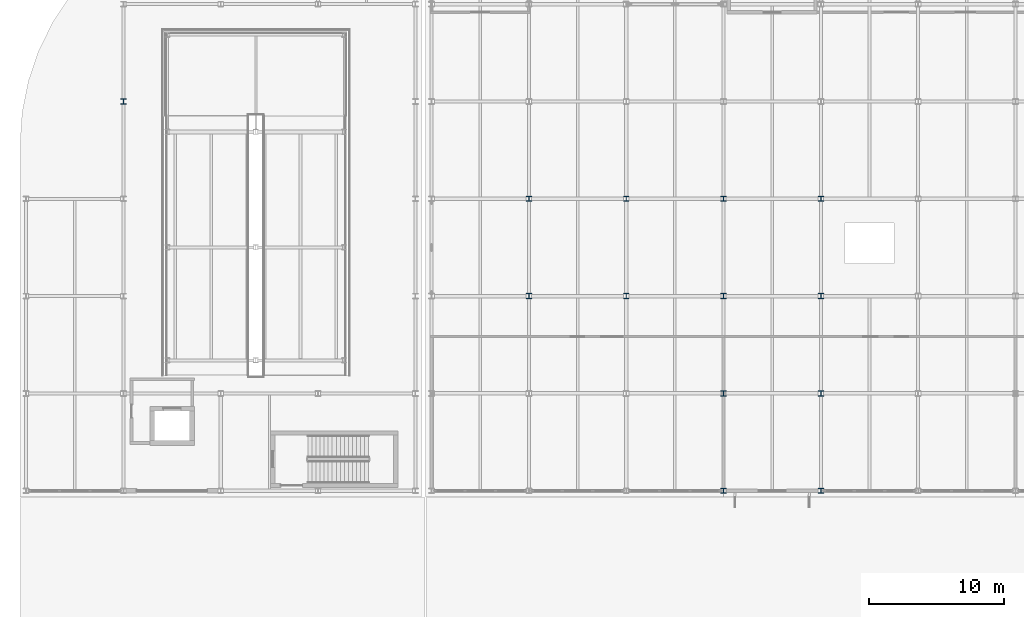
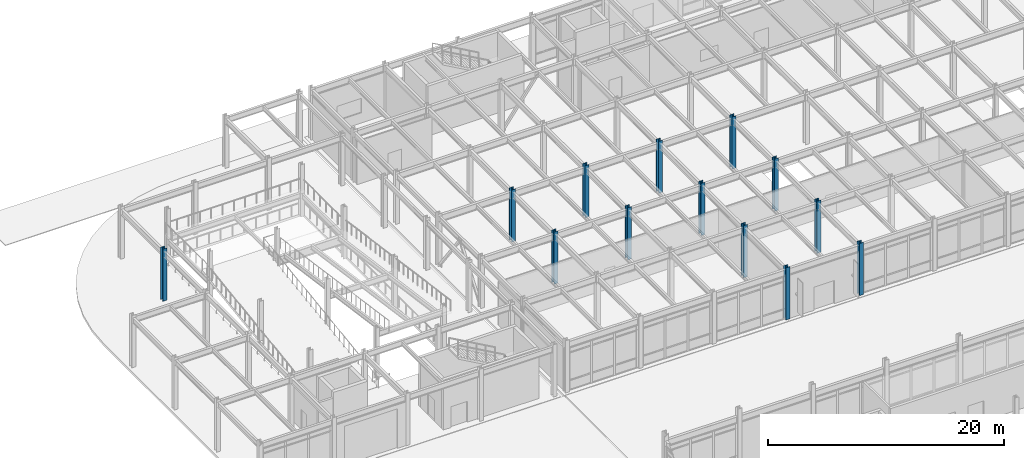
# One storey, part 6 of 104: 13 columns.
"""IFC4 building model written with IfcOpenShell, lengths in metres."""

from ifc_helpers import new_model, si_unit, direction, frame, origin, origin_2d, place, context, subcontext, project, spatial, i_section, extrude, material, material_profile, profile_set, type_object, element, save


model = new_model("IFC4")

# Units and contexts
model_context = context("Model", 3, precision=1e-05, world=origin(), true_north=direction((0.0, 1.0)))
body_context = subcontext(model_context, "Body", "Model", "MODEL_VIEW")
ifc_project = project(units=[si_unit("LENGTHUNIT", "METRE"), si_unit("AREAUNIT", "SQUARE_METRE"), si_unit("VOLUMEUNIT", "CUBIC_METRE"), si_unit("PLANEANGLEUNIT", "RADIAN"), si_unit("MASSUNIT", "GRAM", prefix="KILO")], contexts=[model_context])

# Site, building, storey
site_placement = place(None, origin())
site = spatial("IfcSite", under=ifc_project, at=site_placement, CompositionType="ELEMENT")
building_placement = place(site_placement, origin())
building = spatial("IfcBuilding", under=site, at=building_placement, Name="Vaelcorin Mobility Hub", CompositionType="ELEMENT")
storey_placement = place(building_placement, origin())
storey = spatial("IfcBuildingStorey", under=building, at=storey_placement, Name="L00", CompositionType="ELEMENT", Elevation=0.0)

# Columns
ifc_material = material(Name="Steel ASTM A992 Grade 50", Category="steel")
ifc_material_profile_1 = material_profile(ifc_material, i_section(OverallWidth=0.39599609375, OverallDepth=0.381103515625, WebThickness=0.018798828125, FlangeThickness=0.0302734375, FilletRadius=0.014892578125, at=origin_2d()), Name="W14X159")
ifc_profile_set_1 = profile_set([ifc_material_profile_1], Name="Steel ASTM A992 Grade 50")
column_type_1 = type_object("IfcColumnType", Name="COL-W14X159", PredefinedType="COLUMN", material=ifc_profile_set_1)
column_placement = place(storey_placement, frame((13.199951171875, 105.60009765625, 0.0), z_axis=(0.0, 0.0, 1.0), x_axis=(1.0, 0.0, 0.0)))
element("IfcColumn", 1, at=column_placement, inside=storey, type_object=column_type_1, Name="Column V2W-G2x5 L00", PredefinedType="COLUMN", context=body_context, shape_type="SweptSolid", body=[
    extrude(i_section(OverallWidth=0.39599609375, OverallDepth=0.381103515625, WebThickness=0.018798828125, FlangeThickness=0.0302734375, FilletRadius=0.014892578125, at=origin_2d()), origin(), (0.0, 0.0, 1.0), 5.39990234375),
])
ifc_material_profile_2 = material_profile(ifc_material, i_section(OverallWidth=0.39892578125, OverallDepth=0.39404296875, WebThickness=0.022705078125, FlangeThickness=0.03662109375, FilletRadius=0.014892578125, at=origin_2d()), Name="W14X193")
ifc_profile_set_2 = profile_set([ifc_material_profile_2], Name="Steel ASTM A992 Grade 50")
column_type_2 = type_object("IfcColumnType", Name="COL-W14X193", PredefinedType="COLUMN", material=ifc_profile_set_2)
for number, where, z_axis, x_axis, name in (
    (2, (43.199951171875, 91.199951171875, 0.0), (0.0, 0.0, 1.0), (1.0, 0.0, 0.0), "Column V4-X02Y03 L00"),
    (3, (43.199951171875, 98.39990234375, 0.0), (0.0, 0.0, 1.0), (1.0, 0.0, 0.0), "Column V4-X02Y04 L00"),
    (4, (50.39990234375, 91.199951171875, 0.0), (0.0, 0.0, 1.0), (1.0, 0.0, 0.0), "Column V4-X03Y03 L00"),
    (5, (50.39990234375, 98.39990234375, 0.0), (0.0, 0.0, 1.0), (1.0, 0.0, 0.0), "Column V4-X03Y04 L00"),
    (6, (57.60009765625, 76.800048828125, 0.0), (0.0, 0.0, 1.0), (1.0, 0.0, 0.0), "Column V4-X04Y01 L00"),
    (7, (57.60009765625, 91.199951171875, 0.0), (0.0, 0.0, 1.0), (1.0, 0.0, 0.0), "Column V4-X04Y03 L00"),
    (8, (57.60009765625, 98.39990234375, 0.0), (0.0, 0.0, 1.0), (1.0, 0.0, 0.0), "Column V4-X04Y04 L00"),
    (9, (64.800048828125, 76.800048828125, 0.0), (0.0, 0.0, 1.0), (1.0, 0.0, 0.0), "Column V4-X05Y01 L00"),
    (10, (64.800048828125, 91.199951171875, 0.0), (0.0, 0.0, 1.0), (1.0, 0.0, 0.0), "Column V4-X05Y03 L00"),
    (11, (64.800048828125, 98.39990234375, 0.0), (0.0, 0.0, 1.0), (1.0, 0.0, 0.0), "Column V4-X05Y04 L00"),
):
    element("IfcColumn", number, at=place(storey_placement, frame(where, z_axis=z_axis, x_axis=x_axis)), inside=storey, type_object=column_type_2, Name=name, PredefinedType="COLUMN", context=body_context, shape_type="SweptSolid", body=[
        extrude(i_section(OverallWidth=0.39892578125, OverallDepth=0.39404296875, WebThickness=0.022705078125, FlangeThickness=0.03662109375, FilletRadius=0.014892578125, at=origin_2d()), origin(), (0.0, 0.0, 1.0), 5.39990234375),
    ])
ifc_material_profile_3 = material_profile(ifc_material, i_section(OverallWidth=0.404052734375, OverallDepth=0.406005859375, WebThickness=0.027099609375, FlangeThickness=0.043701171875, FilletRadius=0.014892578125, at=origin_2d()), Name="W14X233")
ifc_profile_set_3 = profile_set([ifc_material_profile_3], Name="Steel ASTM A992 Grade 50")
column_type_3 = type_object("IfcColumnType", Name="COL-W14X233", PredefinedType="COLUMN", material=ifc_profile_set_3)
for number, where, z_axis, x_axis, name in (
    (12, (57.60009765625, 84.0, 0.0), (0.0, 0.0, 1.0), (1.0, 0.0, 0.0), "Column V4-X04Y02 L00"),
    (13, (64.800048828125, 84.0, 0.0), (0.0, 0.0, 1.0), (1.0, 0.0, 0.0), "Column V4-X05Y02 L00"),
):
    element("IfcColumn", number, at=place(storey_placement, frame(where, z_axis=z_axis, x_axis=x_axis)), inside=storey, type_object=column_type_3, Name=name, PredefinedType="COLUMN", context=body_context, shape_type="SweptSolid", body=[
        extrude(i_section(OverallWidth=0.404052734375, OverallDepth=0.406005859375, WebThickness=0.027099609375, FlangeThickness=0.043701171875, FilletRadius=0.014892578125, at=origin_2d()), origin(), (0.0, 0.0, 1.0), 5.39990234375),
    ])

save(model, "model.ifc")
